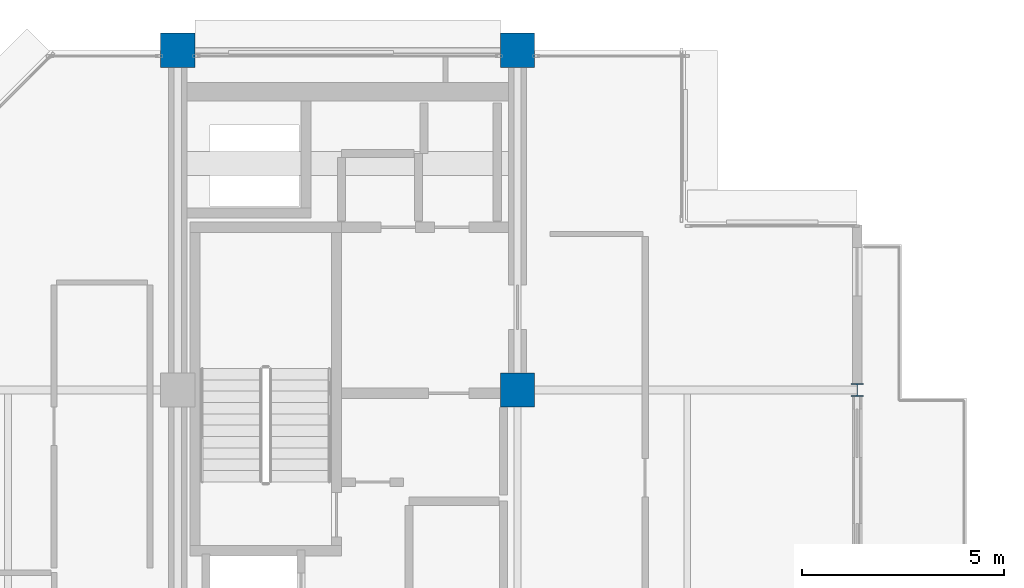
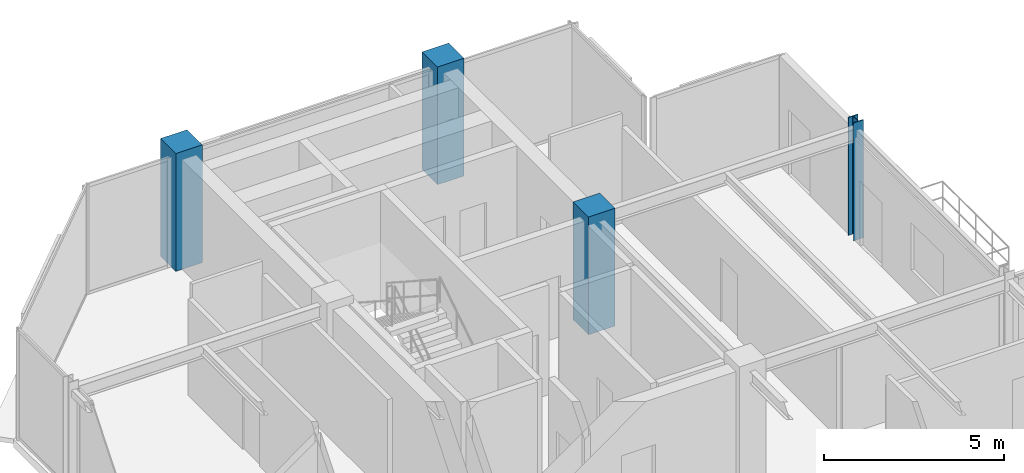
# One storey, part 2 of 25: 4 columns.
"""IFC4 building model written with IfcOpenShell, lengths in metres."""

from ifc_helpers import new_model, si_unit, direction, frame, origin, origin_2d, place, context, subcontext, project, spatial, rectangle, i_section, extrude, material, material_profile, profile_set, type_object, element, save


model = new_model("IFC4")

# Units and contexts
model_context = context("Model", 3, precision=1e-05, world=origin(), true_north=direction((0.0, 1.0)))
body_context = subcontext(model_context, "Body", "Model", "MODEL_VIEW")
ifc_project = project(units=[si_unit("LENGTHUNIT", "METRE"), si_unit("AREAUNIT", "SQUARE_METRE"), si_unit("VOLUMEUNIT", "CUBIC_METRE"), si_unit("PLANEANGLEUNIT", "RADIAN"), si_unit("MASSUNIT", "GRAM", prefix="KILO")], contexts=[model_context])

# Site, building, storey
site_placement = place(None, origin())
site = spatial("IfcSite", under=ifc_project, at=site_placement, CompositionType="ELEMENT")
building_placement = place(site_placement, origin())
building = spatial("IfcBuilding", under=site, at=building_placement, Name="Nerrivon Quay Data Exchange", CompositionType="ELEMENT")
storey_placement = place(building_placement, frame((0.0, 0.0, 302.199951171875)))
storey = spatial("IfcBuildingStorey", under=building, at=storey_placement, Name="L72", CompositionType="ELEMENT", Elevation=302.199951171875)

# Columns
ifc_material_1 = material(Name="Concrete N50 (50 MPa)", Category="concrete")
ifc_material_profile_1 = material_profile(ifc_material_1, rectangle(XDim=0.85009765625, YDim=0.85009765625, at=origin_2d()), Name="RC-COL-850x850")
ifc_profile_set_1 = profile_set([ifc_material_profile_1], Name="Concrete N50 (50 MPa)")
column_type_1 = type_object("IfcColumnType", Name="COL-C5-850", PredefinedType="COLUMN", material=ifc_profile_set_1)
for number, where, z_axis, x_axis, name in (
    (1, (8.39990234375, 42.0, 0.0), (0.0, 0.0, 1.0), (1.0, 0.0, 0.0), "L72 Column (8.4,42.0)"),
    (2, (16.800048828125, 33.60009765625, 0.0), (0.0, 0.0, 1.0), (1.0, 0.0, 0.0), "L72 Column (16.8,33.6)"),
    (3, (16.800048828125, 42.0, 0.0), (0.0, 0.0, 1.0), (1.0, 0.0, 0.0), "L72 Column (16.8,42.0)"),
):
    element("IfcColumn", number, at=place(storey_placement, frame(where, z_axis=z_axis, x_axis=x_axis)), inside=storey, type_object=column_type_1, Name=name, PredefinedType="COLUMN", context=body_context, shape_type="SweptSolid", body=[
        extrude(rectangle(XDim=0.85009765625, YDim=0.85009765625, at=origin_2d()), origin(), (0.0, 0.0, 1.0), 4.0),
    ])
ifc_material_2 = material(Name="Steel Grade 350", Category="steel")
ifc_material_profile_2 = material_profile(ifc_material_2, i_section(OverallWidth=0.31103515625, OverallDepth=0.326904296875, WebThickness=0.015625, FlangeThickness=0.02490234375, FilletRadius=0.0166015625, at=origin_2d()), Name="310UC158")
ifc_profile_set_2 = profile_set([ifc_material_profile_2], Name="Steel Grade 350")
column_type_2 = type_object("IfcColumnType", Name="COL-SC4-310UC158", PredefinedType="COLUMN", material=ifc_profile_set_2)
column_placement = place(storey_placement, frame((25.199951171875, 33.60009765625, 0.0), z_axis=(0.0, 0.0, 1.0), x_axis=(1.0, 0.0, 0.0)))
element("IfcColumn", 4, at=column_placement, inside=storey, type_object=column_type_2, Name="L72 Column (25.2,33.6)", PredefinedType="COLUMN", context=body_context, shape_type="SweptSolid", body=[
    extrude(i_section(OverallWidth=0.31103515625, OverallDepth=0.326904296875, WebThickness=0.015625, FlangeThickness=0.02490234375, FilletRadius=0.0166015625, at=origin_2d()), origin(), (0.0, 0.0, 1.0), 4.0),
])

save(model, "model.ifc")
